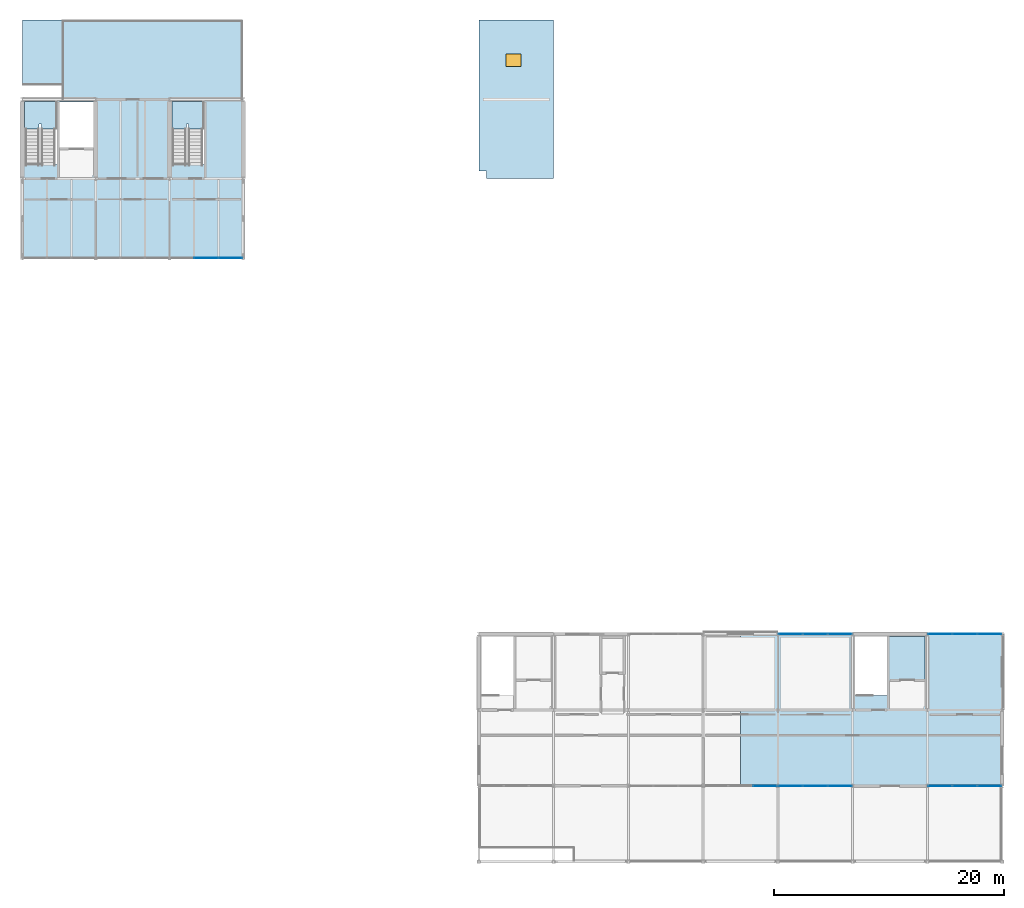
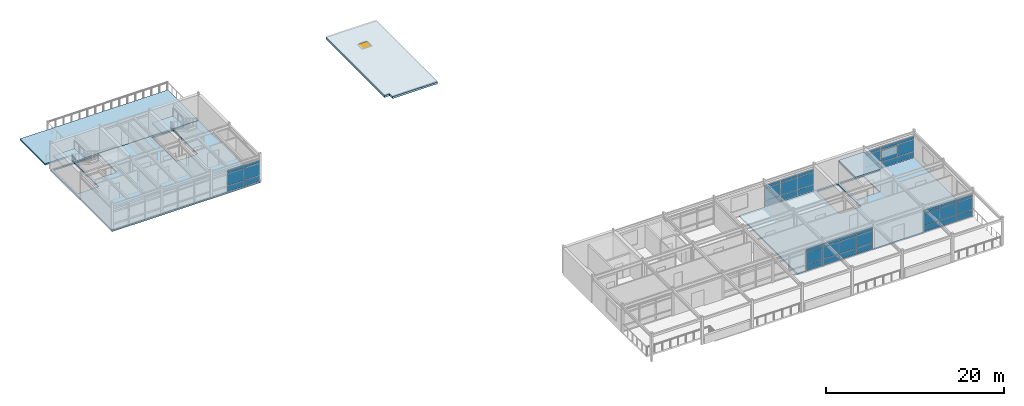
# One storey, part 12 of 20: 45 plates, 7 slabs, 1 door, 1 opening, 8 elements without a shape of their own.
"""IFC4 building model written with IfcOpenShell, lengths in metres."""

from ifc_helpers import new_model, si_unit, direction, frame, origin, origin_2d, place, context, subcontext, project, spatial, polyline, rectangle, outline, extrude, material, layer, layer_set, type_object, element, fill, aggregate, save


model = new_model("IFC4")

# Units and contexts
model_context = context("Model", 3, precision=1e-05, world=origin(), true_north=direction((0.0, 1.0)))
body_context = subcontext(model_context, "Body", "Model", "MODEL_VIEW")
ifc_project = project(units=[si_unit("LENGTHUNIT", "METRE"), si_unit("AREAUNIT", "SQUARE_METRE"), si_unit("VOLUMEUNIT", "CUBIC_METRE"), si_unit("PLANEANGLEUNIT", "RADIAN"), si_unit("MASSUNIT", "GRAM", prefix="KILO")], contexts=[model_context])

# Site, building, storey
site_placement = place(None, origin())
site = spatial("IfcSite", under=ifc_project, at=site_placement, CompositionType="ELEMENT")
building_placement = place(site_placement, origin())
building = spatial("IfcBuilding", under=site, at=building_placement, Name="Trelmorton Wharf Fire Station", CompositionType="ELEMENT")
storey_placement = place(building_placement, frame((0.0, 0.0, 21.300048828125)))
storey = spatial("IfcBuildingStorey", under=building, at=storey_placement, Name="L05", CompositionType="ELEMENT", Elevation=21.300048828125)

# Curtain wall, plates
ifc_material_1 = material(Name="Anodised aluminium AW-6063", Category="aluminium")
ifc_layer_1 = layer(ifc_material_1, 0.159912109375)
ifc_layer_set_1 = layer_set([ifc_layer_1], Name="Anodised aluminium AW-6063")
curtain_wall_type_1 = type_object("IfcCurtainWallType", Name="CW_CHIC_A", PredefinedType="USERDEFINED", material=ifc_layer_set_1)
curtain_wall_1_placement = place(storey_placement, origin())
curtain_wall_1 = element("IfcCurtainWall", 1, at=curtain_wall_1_placement, inside=storey, type_object=curtain_wall_type_1, Name="CW-V5-L05-085", ObjectType="CHICAGO BAY CURTAIN WALL", PredefinedType="USERDEFINED")
ifc_material_2 = material(Name="Tempered low-E double glazing", Category="glass")
ifc_layer_2 = layer(ifc_material_2, 0.028076171875)
ifc_layer_set_2 = layer_set([ifc_layer_2], Name="Tempered low-E double glazing")
plate_type_1 = type_object("IfcPlateType", Name="CWP_GLAZ_28", PredefinedType="CURTAIN_PANEL", material=ifc_layer_set_2)
plate_1_placement = place(storey_placement, frame((141.8984375, 14.39990234375, 0.06005859375), z_axis=(0.0, 0.0, 1.0), x_axis=(-1.0, 0.0, 0.0)))
plate_1 = element("IfcPlate", 2, at=plate_1_placement, type_object=plate_type_1, Name="CW1 panel 1.1", PredefinedType="CURTAIN_PANEL", context=body_context, shape_type="SweptSolid", body=[
    extrude(rectangle(XDim=2.0732421875, YDim=0.028076171875, at=origin_2d()), origin(), (0.0, 0.0, 1.0), 0.760009765625),
])
plate_2_placement = place(storey_placement, frame((141.8984375, 14.39990234375, 0.8798828125), z_axis=(0.0, 0.0, 1.0), x_axis=(-1.0, 0.0, 0.0)))
plate_2 = element("IfcPlate", 3, at=plate_2_placement, type_object=plate_type_1, Name="CW1 panel 1.2", PredefinedType="CURTAIN_PANEL", context=body_context, shape_type="SweptSolid", body=[
    extrude(rectangle(XDim=2.0732421875, YDim=0.028076171875, at=origin_2d()), origin(), (0.0, 0.0, 1.0), 1.610107421875),
])
plate_3_placement = place(storey_placement, frame((141.8984375, 14.39990234375, 2.5498046875), z_axis=(0.0, 0.0, 1.0), x_axis=(-1.0, 0.0, 0.0)))
plate_3 = element("IfcPlate", 4, at=plate_3_placement, type_object=plate_type_1, Name="CW1 panel 1.3", PredefinedType="CURTAIN_PANEL", context=body_context, shape_type="SweptSolid", body=[
    extrude(rectangle(XDim=2.0732421875, YDim=0.028076171875, at=origin_2d()), origin(), (0.0, 0.0, 1.0), 0.409912109375),
])
plate_4_placement = place(storey_placement, frame((139.75, 14.39990234375, 0.06005859375), z_axis=(0.0, 0.0, 1.0), x_axis=(-1.0, 0.0, 0.0)))
plate_4 = element("IfcPlate", 5, at=plate_4_placement, type_object=plate_type_1, Name="CW1 panel 2.1", PredefinedType="CURTAIN_PANEL", context=body_context, shape_type="SweptSolid", body=[
    extrude(rectangle(XDim=2.103271484375, YDim=0.028076171875, at=origin_2d()), origin(), (0.0, 0.0, 1.0), 0.760009765625),
])
plate_5_placement = place(storey_placement, frame((139.75, 14.39990234375, 0.8798828125), z_axis=(0.0, 0.0, 1.0), x_axis=(-1.0, 0.0, 0.0)))
plate_5 = element("IfcPlate", 6, at=plate_5_placement, type_object=plate_type_1, Name="CW1 panel 2.2", PredefinedType="CURTAIN_PANEL", context=body_context, shape_type="SweptSolid", body=[
    extrude(rectangle(XDim=2.103271484375, YDim=0.028076171875, at=origin_2d()), origin(), (0.0, 0.0, 1.0), 1.610107421875),
])
plate_6_placement = place(storey_placement, frame((139.75, 14.39990234375, 2.5498046875), z_axis=(0.0, 0.0, 1.0), x_axis=(-1.0, 0.0, 0.0)))
plate_6 = element("IfcPlate", 7, at=plate_6_placement, type_object=plate_type_1, Name="CW1 panel 2.3", PredefinedType="CURTAIN_PANEL", context=body_context, shape_type="SweptSolid", body=[
    extrude(rectangle(XDim=2.103271484375, YDim=0.028076171875, at=origin_2d()), origin(), (0.0, 0.0, 1.0), 0.409912109375),
])
plate_7_placement = place(storey_placement, frame((137.6015625, 14.39990234375, 0.06005859375), z_axis=(0.0, 0.0, 1.0), x_axis=(-1.0, 0.0, 0.0)))
plate_7 = element("IfcPlate", 8, at=plate_7_placement, type_object=plate_type_1, Name="CW1 panel 3.1", PredefinedType="CURTAIN_PANEL", context=body_context, shape_type="SweptSolid", body=[
    extrude(rectangle(XDim=2.0732421875, YDim=0.028076171875, at=origin_2d()), origin(), (0.0, 0.0, 1.0), 0.760009765625),
])
plate_8_placement = place(storey_placement, frame((137.6015625, 14.39990234375, 0.8798828125), z_axis=(0.0, 0.0, 1.0), x_axis=(-1.0, 0.0, 0.0)))
plate_8 = element("IfcPlate", 9, at=plate_8_placement, type_object=plate_type_1, Name="CW1 panel 3.2", PredefinedType="CURTAIN_PANEL", context=body_context, shape_type="SweptSolid", body=[
    extrude(rectangle(XDim=2.0732421875, YDim=0.028076171875, at=origin_2d()), origin(), (0.0, 0.0, 1.0), 1.610107421875),
])
plate_9_placement = place(storey_placement, frame((137.6015625, 14.39990234375, 2.5498046875), z_axis=(0.0, 0.0, 1.0), x_axis=(-1.0, 0.0, 0.0)))
plate_9 = element("IfcPlate", 10, at=plate_9_placement, type_object=plate_type_1, Name="CW1 panel 3.3", PredefinedType="CURTAIN_PANEL", context=body_context, shape_type="SweptSolid", body=[
    extrude(rectangle(XDim=2.0732421875, YDim=0.028076171875, at=origin_2d()), origin(), (0.0, 0.0, 1.0), 0.409912109375),
])
aggregate(curtain_wall_1, [plate_1, plate_2, plate_3, plate_4, plate_5, plate_6, plate_7, plate_8, plate_9])

curtain_wall_2_placement = place(storey_placement, origin())
curtain_wall_2 = element("IfcCurtainWall", 11, at=curtain_wall_2_placement, inside=storey, type_object=curtain_wall_type_1, Name="CW-V5-L05-086", ObjectType="CHICAGO BAY CURTAIN WALL", PredefinedType="USERDEFINED")
plate_10_placement = place(storey_placement, frame((154.8984375, 14.39990234375, 0.06005859375), z_axis=(0.0, 0.0, 1.0), x_axis=(-1.0, 0.0, 0.0)))
plate_10 = element("IfcPlate", 12, at=plate_10_placement, type_object=plate_type_1, Name="CW1 panel 1.1", PredefinedType="CURTAIN_PANEL", context=body_context, shape_type="SweptSolid", body=[
    extrude(rectangle(XDim=2.0732421875, YDim=0.028076171875, at=origin_2d()), origin(), (0.0, 0.0, 1.0), 0.760009765625),
])
plate_11_placement = place(storey_placement, frame((154.8984375, 14.39990234375, 0.8798828125), z_axis=(0.0, 0.0, 1.0), x_axis=(-1.0, 0.0, 0.0)))
plate_11 = element("IfcPlate", 13, at=plate_11_placement, type_object=plate_type_1, Name="CW1 panel 1.2", PredefinedType="CURTAIN_PANEL", context=body_context, shape_type="SweptSolid", body=[
    extrude(rectangle(XDim=2.0732421875, YDim=0.028076171875, at=origin_2d()), origin(), (0.0, 0.0, 1.0), 1.610107421875),
])
plate_12_placement = place(storey_placement, frame((154.8984375, 14.39990234375, 2.5498046875), z_axis=(0.0, 0.0, 1.0), x_axis=(-1.0, 0.0, 0.0)))
plate_12 = element("IfcPlate", 14, at=plate_12_placement, type_object=plate_type_1, Name="CW1 panel 1.3", PredefinedType="CURTAIN_PANEL", context=body_context, shape_type="SweptSolid", body=[
    extrude(rectangle(XDim=2.0732421875, YDim=0.028076171875, at=origin_2d()), origin(), (0.0, 0.0, 1.0), 0.409912109375),
])
plate_13_placement = place(storey_placement, frame((152.75, 14.39990234375, 0.06005859375), z_axis=(0.0, 0.0, 1.0), x_axis=(-1.0, 0.0, 0.0)))
plate_13 = element("IfcPlate", 15, at=plate_13_placement, type_object=plate_type_1, Name="CW1 panel 2.1", PredefinedType="CURTAIN_PANEL", context=body_context, shape_type="SweptSolid", body=[
    extrude(rectangle(XDim=2.103271484375, YDim=0.028076171875, at=origin_2d()), origin(), (0.0, 0.0, 1.0), 0.760009765625),
])
plate_14_placement = place(storey_placement, frame((152.75, 14.39990234375, 0.8798828125), z_axis=(0.0, 0.0, 1.0), x_axis=(-1.0, 0.0, 0.0)))
plate_14 = element("IfcPlate", 16, at=plate_14_placement, type_object=plate_type_1, Name="CW1 panel 2.2", PredefinedType="CURTAIN_PANEL", context=body_context, shape_type="SweptSolid", body=[
    extrude(rectangle(XDim=2.103271484375, YDim=0.028076171875, at=origin_2d()), origin(), (0.0, 0.0, 1.0), 1.610107421875),
])
plate_15_placement = place(storey_placement, frame((152.75, 14.39990234375, 2.5498046875), z_axis=(0.0, 0.0, 1.0), x_axis=(-1.0, 0.0, 0.0)))
plate_15 = element("IfcPlate", 17, at=plate_15_placement, type_object=plate_type_1, Name="CW1 panel 2.3", PredefinedType="CURTAIN_PANEL", context=body_context, shape_type="SweptSolid", body=[
    extrude(rectangle(XDim=2.103271484375, YDim=0.028076171875, at=origin_2d()), origin(), (0.0, 0.0, 1.0), 0.409912109375),
])
plate_16_placement = place(storey_placement, frame((150.6015625, 14.39990234375, 0.06005859375), z_axis=(0.0, 0.0, 1.0), x_axis=(-1.0, 0.0, 0.0)))
plate_16 = element("IfcPlate", 18, at=plate_16_placement, type_object=plate_type_1, Name="CW1 panel 3.1", PredefinedType="CURTAIN_PANEL", context=body_context, shape_type="SweptSolid", body=[
    extrude(rectangle(XDim=2.0732421875, YDim=0.028076171875, at=origin_2d()), origin(), (0.0, 0.0, 1.0), 0.760009765625),
])
plate_17_placement = place(storey_placement, frame((150.6015625, 14.39990234375, 0.8798828125), z_axis=(0.0, 0.0, 1.0), x_axis=(-1.0, 0.0, 0.0)))
plate_17 = element("IfcPlate", 19, at=plate_17_placement, type_object=plate_type_1, Name="CW1 panel 3.2", PredefinedType="CURTAIN_PANEL", context=body_context, shape_type="SweptSolid", body=[
    extrude(rectangle(XDim=2.0732421875, YDim=0.028076171875, at=origin_2d()), origin(), (0.0, 0.0, 1.0), 1.610107421875),
])
plate_18_placement = place(storey_placement, frame((150.6015625, 14.39990234375, 2.5498046875), z_axis=(0.0, 0.0, 1.0), x_axis=(-1.0, 0.0, 0.0)))
plate_18 = element("IfcPlate", 20, at=plate_18_placement, type_object=plate_type_1, Name="CW1 panel 3.3", PredefinedType="CURTAIN_PANEL", context=body_context, shape_type="SweptSolid", body=[
    extrude(rectangle(XDim=2.0732421875, YDim=0.028076171875, at=origin_2d()), origin(), (0.0, 0.0, 1.0), 0.409912109375),
])
aggregate(curtain_wall_2, [plate_10, plate_11, plate_12, plate_13, plate_14, plate_15, plate_16, plate_17, plate_18])

ifc_layer_3 = layer(ifc_material_1, 0.14990234375)
ifc_layer_set_3 = layer_set([ifc_layer_3], Name="Anodised aluminium AW-6063")
curtain_wall_type_2 = type_object("IfcCurtainWallType", Name="CW_UNIT_A", PredefinedType="USERDEFINED", material=ifc_layer_set_3)
curtain_wall_3_placement = place(storey_placement, origin())
curtain_wall_3 = element("IfcCurtainWall", 21, at=curtain_wall_3_placement, inside=storey, type_object=curtain_wall_type_2, Name="CW-V5-L05-088", ObjectType="UNITISED CURTAIN WALL", PredefinedType="USERDEFINED")
plate_19_placement = place(storey_placement, frame((137.6015625, 27.60009765625, 0.06005859375), z_axis=(0.0, 0.0, 1.0), x_axis=(1.0, 0.0, 0.0)))
plate_19 = element("IfcPlate", 22, at=plate_19_placement, type_object=plate_type_1, Name="CW3 panel 1.1", PredefinedType="CURTAIN_PANEL", context=body_context, shape_type="SweptSolid", body=[
    extrude(rectangle(XDim=2.0732421875, YDim=0.028076171875, at=origin_2d()), origin(), (0.0, 0.0, 1.0), 0.760009765625),
])
plate_20_placement = place(storey_placement, frame((137.6015625, 27.60009765625, 0.8798828125), z_axis=(0.0, 0.0, 1.0), x_axis=(1.0, 0.0, 0.0)))
plate_20 = element("IfcPlate", 23, at=plate_20_placement, type_object=plate_type_1, Name="CW3 panel 1.2", PredefinedType="CURTAIN_PANEL", context=body_context, shape_type="SweptSolid", body=[
    extrude(rectangle(XDim=2.0732421875, YDim=0.028076171875, at=origin_2d()), origin(), (0.0, 0.0, 1.0), 1.610107421875),
])
plate_21_placement = place(storey_placement, frame((137.6015625, 27.60009765625, 2.5498046875), z_axis=(0.0, 0.0, 1.0), x_axis=(1.0, 0.0, 0.0)))
plate_21 = element("IfcPlate", 24, at=plate_21_placement, type_object=plate_type_1, Name="CW3 panel 1.3", PredefinedType="CURTAIN_PANEL", context=body_context, shape_type="SweptSolid", body=[
    extrude(rectangle(XDim=2.0732421875, YDim=0.028076171875, at=origin_2d()), origin(), (0.0, 0.0, 1.0), 0.409912109375),
])
plate_22_placement = place(storey_placement, frame((139.75, 27.60009765625, 0.06005859375), z_axis=(0.0, 0.0, 1.0), x_axis=(1.0, 0.0, 0.0)))
plate_22 = element("IfcPlate", 25, at=plate_22_placement, type_object=plate_type_1, Name="CW3 panel 2.1", PredefinedType="CURTAIN_PANEL", context=body_context, shape_type="SweptSolid", body=[
    extrude(rectangle(XDim=2.103271484375, YDim=0.028076171875, at=origin_2d()), origin(), (0.0, 0.0, 1.0), 0.760009765625),
])
plate_23_placement = place(storey_placement, frame((139.75, 27.60009765625, 0.8798828125), z_axis=(0.0, 0.0, 1.0), x_axis=(1.0, 0.0, 0.0)))
plate_23 = element("IfcPlate", 26, at=plate_23_placement, type_object=plate_type_1, Name="CW3 panel 2.2", PredefinedType="CURTAIN_PANEL", context=body_context, shape_type="SweptSolid", body=[
    extrude(rectangle(XDim=2.103271484375, YDim=0.028076171875, at=origin_2d()), origin(), (0.0, 0.0, 1.0), 1.610107421875),
])
plate_24_placement = place(storey_placement, frame((139.75, 27.60009765625, 2.5498046875), z_axis=(0.0, 0.0, 1.0), x_axis=(1.0, 0.0, 0.0)))
plate_24 = element("IfcPlate", 27, at=plate_24_placement, type_object=plate_type_1, Name="CW3 panel 2.3", PredefinedType="CURTAIN_PANEL", context=body_context, shape_type="SweptSolid", body=[
    extrude(rectangle(XDim=2.103271484375, YDim=0.028076171875, at=origin_2d()), origin(), (0.0, 0.0, 1.0), 0.409912109375),
])
plate_25_placement = place(storey_placement, frame((141.8984375, 27.60009765625, 0.06005859375), z_axis=(0.0, 0.0, 1.0), x_axis=(1.0, 0.0, 0.0)))
plate_25 = element("IfcPlate", 28, at=plate_25_placement, type_object=plate_type_1, Name="CW3 panel 3.1", PredefinedType="CURTAIN_PANEL", context=body_context, shape_type="SweptSolid", body=[
    extrude(rectangle(XDim=2.0732421875, YDim=0.028076171875, at=origin_2d()), origin(), (0.0, 0.0, 1.0), 0.760009765625),
])
plate_26_placement = place(storey_placement, frame((141.8984375, 27.60009765625, 0.8798828125), z_axis=(0.0, 0.0, 1.0), x_axis=(1.0, 0.0, 0.0)))
plate_26 = element("IfcPlate", 29, at=plate_26_placement, type_object=plate_type_1, Name="CW3 panel 3.2", PredefinedType="CURTAIN_PANEL", context=body_context, shape_type="SweptSolid", body=[
    extrude(rectangle(XDim=2.0732421875, YDim=0.028076171875, at=origin_2d()), origin(), (0.0, 0.0, 1.0), 1.610107421875),
])
plate_27_placement = place(storey_placement, frame((141.8984375, 27.60009765625, 2.5498046875), z_axis=(0.0, 0.0, 1.0), x_axis=(1.0, 0.0, 0.0)))
plate_27 = element("IfcPlate", 30, at=plate_27_placement, type_object=plate_type_1, Name="CW3 panel 3.3", PredefinedType="CURTAIN_PANEL", context=body_context, shape_type="SweptSolid", body=[
    extrude(rectangle(XDim=2.0732421875, YDim=0.028076171875, at=origin_2d()), origin(), (0.0, 0.0, 1.0), 0.409912109375),
])
aggregate(curtain_wall_3, [plate_19, plate_20, plate_21, plate_22, plate_23, plate_24, plate_25, plate_26, plate_27])

curtain_wall_4_placement = place(storey_placement, origin())
curtain_wall_4 = element("IfcCurtainWall", 31, at=curtain_wall_4_placement, inside=storey, type_object=curtain_wall_type_2, Name="CW-V5-L05-089", ObjectType="UNITISED CURTAIN WALL", PredefinedType="USERDEFINED")
plate_28_placement = place(storey_placement, frame((150.6015625, 27.60009765625, 0.06005859375), z_axis=(0.0, 0.0, 1.0), x_axis=(1.0, 0.0, 0.0)))
plate_28 = element("IfcPlate", 32, at=plate_28_placement, type_object=plate_type_1, Name="CW3 panel 1.1", PredefinedType="CURTAIN_PANEL", context=body_context, shape_type="SweptSolid", body=[
    extrude(rectangle(XDim=2.0732421875, YDim=0.028076171875, at=origin_2d()), origin(), (0.0, 0.0, 1.0), 0.760009765625),
])
plate_29_placement = place(storey_placement, frame((150.6015625, 27.60009765625, 0.8798828125), z_axis=(0.0, 0.0, 1.0), x_axis=(1.0, 0.0, 0.0)))
plate_29 = element("IfcPlate", 33, at=plate_29_placement, type_object=plate_type_1, Name="CW3 panel 1.2", PredefinedType="CURTAIN_PANEL", context=body_context, shape_type="SweptSolid", body=[
    extrude(rectangle(XDim=2.0732421875, YDim=0.028076171875, at=origin_2d()), origin(), (0.0, 0.0, 1.0), 1.610107421875),
])
plate_30_placement = place(storey_placement, frame((150.6015625, 27.60009765625, 2.5498046875), z_axis=(0.0, 0.0, 1.0), x_axis=(1.0, 0.0, 0.0)))
plate_30 = element("IfcPlate", 34, at=plate_30_placement, type_object=plate_type_1, Name="CW3 panel 1.3", PredefinedType="CURTAIN_PANEL", context=body_context, shape_type="SweptSolid", body=[
    extrude(rectangle(XDim=2.0732421875, YDim=0.028076171875, at=origin_2d()), origin(), (0.0, 0.0, 1.0), 0.409912109375),
])
plate_31_placement = place(storey_placement, frame((152.75, 27.60009765625, 0.06005859375), z_axis=(0.0, 0.0, 1.0), x_axis=(1.0, 0.0, 0.0)))
plate_31 = element("IfcPlate", 35, at=plate_31_placement, type_object=plate_type_1, Name="CW3 panel 2.1", PredefinedType="CURTAIN_PANEL", context=body_context, shape_type="SweptSolid", body=[
    extrude(rectangle(XDim=2.103271484375, YDim=0.028076171875, at=origin_2d()), origin(), (0.0, 0.0, 1.0), 0.760009765625),
])
plate_32_placement = place(storey_placement, frame((152.75, 27.60009765625, 0.8798828125), z_axis=(0.0, 0.0, 1.0), x_axis=(1.0, 0.0, 0.0)))
plate_32 = element("IfcPlate", 36, at=plate_32_placement, type_object=plate_type_1, Name="CW3 panel 2.2", PredefinedType="CURTAIN_PANEL", context=body_context, shape_type="SweptSolid", body=[
    extrude(rectangle(XDim=2.103271484375, YDim=0.028076171875, at=origin_2d()), origin(), (0.0, 0.0, 1.0), 1.610107421875),
])
plate_33_placement = place(storey_placement, frame((152.75, 27.60009765625, 2.5498046875), z_axis=(0.0, 0.0, 1.0), x_axis=(1.0, 0.0, 0.0)))
plate_33 = element("IfcPlate", 37, at=plate_33_placement, type_object=plate_type_1, Name="CW3 panel 2.3", PredefinedType="CURTAIN_PANEL", context=body_context, shape_type="SweptSolid", body=[
    extrude(rectangle(XDim=2.103271484375, YDim=0.028076171875, at=origin_2d()), origin(), (0.0, 0.0, 1.0), 0.409912109375),
])
plate_34_placement = place(storey_placement, frame((154.8984375, 27.60009765625, 0.06005859375), z_axis=(0.0, 0.0, 1.0), x_axis=(1.0, 0.0, 0.0)))
plate_34 = element("IfcPlate", 38, at=plate_34_placement, type_object=plate_type_1, Name="CW3 panel 3.1", PredefinedType="CURTAIN_PANEL", context=body_context, shape_type="SweptSolid", body=[
    extrude(rectangle(XDim=2.0732421875, YDim=0.028076171875, at=origin_2d()), origin(), (0.0, 0.0, 1.0), 0.760009765625),
])
plate_35_placement = place(storey_placement, frame((154.8984375, 27.60009765625, 0.8798828125), z_axis=(0.0, 0.0, 1.0), x_axis=(1.0, 0.0, 0.0)))
plate_35 = element("IfcPlate", 39, at=plate_35_placement, type_object=plate_type_1, Name="CW3 panel 3.2", PredefinedType="CURTAIN_PANEL", context=body_context, shape_type="SweptSolid", body=[
    extrude(rectangle(XDim=2.0732421875, YDim=0.028076171875, at=origin_2d()), origin(), (0.0, 0.0, 1.0), 1.610107421875),
])
plate_36_placement = place(storey_placement, frame((154.8984375, 27.60009765625, 2.5498046875), z_axis=(0.0, 0.0, 1.0), x_axis=(1.0, 0.0, 0.0)))
plate_36 = element("IfcPlate", 40, at=plate_36_placement, type_object=plate_type_1, Name="CW3 panel 3.3", PredefinedType="CURTAIN_PANEL", context=body_context, shape_type="SweptSolid", body=[
    extrude(rectangle(XDim=2.0732421875, YDim=0.028076171875, at=origin_2d()), origin(), (0.0, 0.0, 1.0), 0.409912109375),
])
aggregate(curtain_wall_4, [plate_28, plate_29, plate_30, plate_31, plate_32, plate_33, plate_34, plate_35, plate_36])

curtain_wall_5_placement = place(storey_placement, origin())
curtain_wall_5 = element("IfcCurtainWall", 41, at=curtain_wall_5_placement, inside=storey, type_object=curtain_wall_type_1, Name="CW-V2-L05-109", ObjectType="CHICAGO BAY CURTAIN WALL", PredefinedType="USERDEFINED")
plate_37_placement = place(storey_placement, frame((88.9150390625, 60.300048828125, 0.06005859375), z_axis=(0.0, 0.0, 1.0), x_axis=(-1.0, 0.0, 0.0)))
plate_37 = element("IfcPlate", 42, at=plate_37_placement, type_object=plate_type_1, Name="CW1 panel 1.1", PredefinedType="CURTAIN_PANEL", context=body_context, shape_type="SweptSolid", body=[
    extrude(rectangle(XDim=2.0400390625, YDim=0.028076171875, at=origin_2d()), origin(), (0.0, 0.0, 1.0), 0.760009765625),
])
plate_38_placement = place(storey_placement, frame((88.9150390625, 60.300048828125, 0.8798828125), z_axis=(0.0, 0.0, 1.0), x_axis=(-1.0, 0.0, 0.0)))
plate_38 = element("IfcPlate", 43, at=plate_38_placement, type_object=plate_type_1, Name="CW1 panel 1.2", PredefinedType="CURTAIN_PANEL", context=body_context, shape_type="SweptSolid", body=[
    extrude(rectangle(XDim=2.0400390625, YDim=0.028076171875, at=origin_2d()), origin(), (0.0, 0.0, 1.0), 1.610107421875),
])
plate_39_placement = place(storey_placement, frame((88.9150390625, 60.300048828125, 2.5498046875), z_axis=(0.0, 0.0, 1.0), x_axis=(-1.0, 0.0, 0.0)))
plate_39 = element("IfcPlate", 44, at=plate_39_placement, type_object=plate_type_1, Name="CW1 panel 1.3", PredefinedType="CURTAIN_PANEL", context=body_context, shape_type="SweptSolid", body=[
    extrude(rectangle(XDim=2.0400390625, YDim=0.028076171875, at=origin_2d()), origin(), (0.0, 0.0, 1.0), 0.409912109375),
])
plate_40_placement = place(storey_placement, frame((86.800048828125, 60.300048828125, 0.06005859375), z_axis=(0.0, 0.0, 1.0), x_axis=(-1.0, 0.0, 0.0)))
plate_40 = element("IfcPlate", 45, at=plate_40_placement, type_object=plate_type_1, Name="CW1 panel 2.1", PredefinedType="CURTAIN_PANEL", context=body_context, shape_type="SweptSolid", body=[
    extrude(rectangle(XDim=2.070068359375, YDim=0.028076171875, at=origin_2d()), origin(), (0.0, 0.0, 1.0), 0.760009765625),
])
plate_41_placement = place(storey_placement, frame((86.800048828125, 60.300048828125, 0.8798828125), z_axis=(0.0, 0.0, 1.0), x_axis=(-1.0, 0.0, 0.0)))
plate_41 = element("IfcPlate", 46, at=plate_41_placement, type_object=plate_type_1, Name="CW1 panel 2.2", PredefinedType="CURTAIN_PANEL", context=body_context, shape_type="SweptSolid", body=[
    extrude(rectangle(XDim=2.070068359375, YDim=0.028076171875, at=origin_2d()), origin(), (0.0, 0.0, 1.0), 1.610107421875),
])
plate_42_placement = place(storey_placement, frame((86.800048828125, 60.300048828125, 2.5498046875), z_axis=(0.0, 0.0, 1.0), x_axis=(-1.0, 0.0, 0.0)))
plate_42 = element("IfcPlate", 47, at=plate_42_placement, type_object=plate_type_1, Name="CW1 panel 2.3", PredefinedType="CURTAIN_PANEL", context=body_context, shape_type="SweptSolid", body=[
    extrude(rectangle(XDim=2.070068359375, YDim=0.028076171875, at=origin_2d()), origin(), (0.0, 0.0, 1.0), 0.409912109375),
])
aggregate(curtain_wall_5, [plate_37, plate_38, plate_39, plate_40, plate_41, plate_42])

ifc_layer_4 = layer(ifc_material_1, 0.175048828125)
ifc_layer_set_4 = layer_set([ifc_layer_4], Name="Anodised aluminium AW-6063")
curtain_wall_type_3 = type_object("IfcCurtainWallType", Name="CW_CHIC_B", PredefinedType="USERDEFINED", material=ifc_layer_set_4)
curtain_wall_6_placement = place(storey_placement, origin())
curtain_wall_6 = element("IfcCurtainWall", 48, at=curtain_wall_6_placement, inside=storey, type_object=curtain_wall_type_3, Name="CW-V5-L05-084", ObjectType="CHICAGO BAY CURTAIN WALL", PredefinedType="USERDEFINED")
ifc_material_3 = material(Name="Ceramic-fritted spandrel glazing", Category="glass")
ifc_layer_5 = layer(ifc_material_3, 0.028076171875)
ifc_layer_set_5 = layer_set([ifc_layer_5], Name="Ceramic-fritted spandrel glazing")
plate_type_2 = type_object("IfcPlateType", Name="CWP_SPAN_48", PredefinedType="CURTAIN_PANEL", material=ifc_layer_set_5)
plate_43_placement = place(storey_placement, frame((135.3984375, 14.39990234375, 0.06005859375), z_axis=(0.0, 0.0, 1.0), x_axis=(-1.0, 0.0, 0.0)))
plate_43 = element("IfcPlate", 49, at=plate_43_placement, type_object=plate_type_2, Name="CW2 panel 1.1", PredefinedType="CURTAIN_PANEL", context=body_context, shape_type="SweptSolid", body=[
    extrude(rectangle(XDim=2.0732421875, YDim=0.028076171875, at=origin_2d()), origin(), (0.0, 0.0, 1.0), 0.760009765625),
])
plate_44_placement = place(storey_placement, frame((135.3984375, 14.39990234375, 0.8798828125), z_axis=(0.0, 0.0, 1.0), x_axis=(-1.0, 0.0, 0.0)))
plate_44 = element("IfcPlate", 50, at=plate_44_placement, type_object=plate_type_2, Name="CW2 panel 1.2", PredefinedType="CURTAIN_PANEL", context=body_context, shape_type="SweptSolid", body=[
    extrude(rectangle(XDim=2.0732421875, YDim=0.028076171875, at=origin_2d()), origin(), (0.0, 0.0, 1.0), 1.610107421875),
])
plate_45_placement = place(storey_placement, frame((135.3984375, 14.39990234375, 2.5498046875), z_axis=(0.0, 0.0, 1.0), x_axis=(-1.0, 0.0, 0.0)))
plate_45 = element("IfcPlate", 51, at=plate_45_placement, type_object=plate_type_2, Name="CW2 panel 1.3", PredefinedType="CURTAIN_PANEL", context=body_context, shape_type="SweptSolid", body=[
    extrude(rectangle(XDim=2.0732421875, YDim=0.028076171875, at=origin_2d()), origin(), (0.0, 0.0, 1.0), 0.409912109375),
])
aggregate(curtain_wall_6, [plate_43, plate_44, plate_45])

# Slabs
ifc_material_4 = material(Name="Concrete 40 MPa", Category="concrete")
ifc_layer_6 = layer(ifc_material_4, 0.199951171875)
ifc_layer_set_6 = layer_set([ifc_layer_6], Name="Concrete 40 MPa")
slab_type_1 = type_object("IfcSlabType", Name="SL_FLOOR_200", PredefinedType="FLOOR", material=ifc_layer_set_6)
slab_1_placement = place(storey_placement, frame((0.0, 0.0, -0.199951171875)))
element("IfcSlab", 52, at=slab_1_placement, inside=storey, type_object=slab_type_1, Name="SL-V5-L05-029", PredefinedType="FLOOR", context=body_context, shape_type="SweptSolid", body=[
    extrude(outline(polyline([(156.0, 27.60009765625), (156.0, 14.39990234375), (133.25, 14.39990234375), (133.25, 27.60009765625), (156.0, 27.60009765625)]), holes=[polyline([(143.219970703125, 22.239990234375), (146.010009765625, 22.239990234375), (146.010009765625, 27.3798828125), (143.219970703125, 27.3798828125), (143.219970703125, 22.239990234375)]), polyline([(146.239990234375, 27.3798828125), (146.239990234375, 23.719970703125), (149.280029296875, 23.719970703125), (149.280029296875, 27.3798828125), (146.239990234375, 27.3798828125)])]), origin(), (0.0, 0.0, 1.0), 0.199951171875),
])
slab_2_placement = place(storey_placement, frame((0.0, 0.0, -0.199951171875)))
element("IfcSlab", 53, at=slab_2_placement, inside=storey, type_object=slab_type_1, Name="SL-V2-L05-048", PredefinedType="FLOOR", context=body_context, shape_type="SweptSolid", body=[
    extrude(outline(polyline([(90.0, 74.10009765625), (90.0, 60.300048828125), (70.800048828125, 60.300048828125), (70.800048828125, 74.10009765625), (90.0, 74.10009765625)]), holes=[polyline([(71.02001953125, 68.43994140625), (73.81005859375, 68.43994140625), (73.81005859375, 73.8798828125), (71.02001953125, 73.8798828125), (71.02001953125, 68.43994140625)]), polyline([(74.0400390625, 73.8798828125), (74.0400390625, 69.919921875), (76.97998046875, 69.919921875), (76.97998046875, 73.8798828125), (74.0400390625, 73.8798828125)]), polyline([(86.610107421875, 73.8798828125), (83.820068359375, 73.8798828125), (83.820068359375, 68.43994140625), (86.610107421875, 68.43994140625), (86.610107421875, 73.8798828125)])]), origin(), (0.0, 0.0, 1.0), 0.199951171875),
])
slab_3_placement = place(storey_placement, frame((0.0, 0.0, 3.02001953125)))
element("IfcSlab", 54, at=slab_3_placement, inside=storey, type_object=slab_type_1, Name="SL-CAP-C4", PredefinedType="FLOOR", context=body_context, shape_type="SweptSolid", body=[
    extrude(outline(polyline([(146.06005859375, 23.5400390625), (149.294921875, 23.5400390625), (149.294921875, 27.39501953125), (146.06005859375, 27.39501953125), (146.06005859375, 23.5400390625)])), origin(), (0.0, 0.0, 1.0), 0.199951171875),
])

# Stair, slab
ifc_material_5 = material(Name="Precast concrete 45 MPa", Category="concrete")
stair_type = type_object("IfcStairType", Name="ST_DOG_390", PredefinedType="HALF_TURN_STAIR", material=ifc_material_5)
stair_1_placement = place(storey_placement, origin())
stair_1 = element("IfcStair", 55, at=stair_1_placement, inside=storey, type_object=stair_type, Name="Escape Stair ST8-L05", PredefinedType="HALF_TURN_STAIR")
ifc_layer_7 = layer(ifc_material_5, 0.199951171875)
ifc_layer_set_7 = layer_set([ifc_layer_7], Name="Precast concrete 45 MPa")
slab_type_2 = type_object("IfcSlabType", Name="SL_LAND_180", PredefinedType="LANDING", material=ifc_layer_set_7)
slab_4_placement = place(storey_placement, frame((0.0, 0.0, 1.75)))
slab_4 = element("IfcSlab", 56, at=slab_4_placement, type_object=slab_type_2, Name="ST8-L05 landing 1", PredefinedType="LANDING", context=body_context, shape_type="SweptSolid", body=[
    extrude(outline(polyline([(71.0048828125, 71.530029296875), (72.260009765625, 71.530029296875), (72.260009765625, 71.949951171875), (72.4599609375, 71.949951171875), (72.4599609375, 71.530029296875), (73.804931640625, 71.530029296875), (73.804931640625, 73.89501953125), (71.0048828125, 73.89501953125), (71.0048828125, 71.530029296875)])), origin(), (0.0, 0.0, 1.0), 0.199951171875),
])
aggregate(stair_1, [slab_4])

stair_2_placement = place(storey_placement, origin())
stair_2 = element("IfcStair", 57, at=stair_2_placement, inside=storey, type_object=stair_type, Name="Escape Stair ST9-L05", PredefinedType="HALF_TURN_STAIR")
slab_5_placement = place(storey_placement, frame((0.0, 0.0, 1.75)))
slab_5 = element("IfcSlab", 58, at=slab_5_placement, type_object=slab_type_2, Name="ST9-L05 landing 1", PredefinedType="LANDING", context=body_context, shape_type="SweptSolid", body=[
    extrude(outline(polyline([(83.804931640625, 71.530029296875), (85.06005859375, 71.530029296875), (85.06005859375, 71.949951171875), (85.260009765625, 71.949951171875), (85.260009765625, 71.530029296875), (86.60498046875, 71.530029296875), (86.60498046875, 73.89501953125), (83.804931640625, 73.89501953125), (83.804931640625, 71.530029296875)])), origin(), (0.0, 0.0, 1.0), 0.199951171875),
])
aggregate(stair_2, [slab_5])

# Slab, opening, door
ifc_layer_8 = layer(ifc_material_4, 0.27001953125)
ifc_layer_set_8 = layer_set([ifc_layer_8], Name="Concrete 40 MPa")
slab_type_3 = type_object("IfcSlabType", Name="SL_ROOF_FLAT_190", PredefinedType="ROOF", material=ifc_layer_set_8)
slab_6_placement = place(storey_placement, frame((0.0, 0.0, -0.27001953125)))
slab_6 = element("IfcSlab", 59, at=slab_6_placement, inside=storey, type_object=slab_type_3, Name="SL-ROOF-V4-HH", PredefinedType="ROOF", context=body_context, shape_type="SweptSolid", body=[
    extrude(outline(polyline([(117.0, 81.0), (117.0, 67.199951171875), (111.14990234375, 67.199951171875), (111.14990234375, 67.85009765625), (110.5, 67.85009765625), (110.5, 81.0), (117.0, 81.0)]), holes=[polyline([(113.97509765625, 77.97509765625), (113.02490234375, 77.97509765625), (113.02490234375, 77.02490234375), (113.97509765625, 77.02490234375), (113.97509765625, 77.97509765625)])]), origin(), (0.0, 0.0, 1.0), 0.27001953125),
])
opening_placement = place(slab_6_placement, frame((113.5, 77.5, 0.0)))
opening = element("IfcOpeningElement", 60, at=opening_placement, cuts=slab_6, Name="Opening HT-03", PredefinedType="OPENING", context=body_context, shape_type="SweptSolid", body=[
    extrude(rectangle(XDim=1.300048828125, YDim=1.050048828125, at=origin_2d()), origin(), (0.0, 0.0, 1.0), 0.27001953125),
])
door_type = type_object("IfcDoorType", Name="DR_TRAP_130", OperationType="SINGLE_SWING_LEFT", PredefinedType="TRAPDOOR", material=ifc_material_1)
door_placement = place(opening_placement, frame((0.0, 0.0, 0.219970703125)))
door = element("IfcDoor", 61, at=door_placement, inside=storey, type_object=door_type, Name="Roof Access Trapdoor HT-03", OperationType="SINGLE_SWING_LEFT", OverallHeight=1.050048828125, OverallWidth=1.300048828125, PredefinedType="TRAPDOOR", context=body_context, shape_type="SweptSolid", body=[
    extrude(rectangle(XDim=1.300048828125, YDim=1.050048828125, at=origin_2d()), origin(), (0.0, 0.0, 1.0), 0.050048828125),
])
fill(opening, door)

# Slab
ifc_layer_9 = layer(ifc_material_4, 0.2099609375)
ifc_layer_set_9 = layer_set([ifc_layer_9], Name="Concrete 40 MPa")
slab_type_4 = type_object("IfcSlabType", Name="SL_TERRACE_210", PredefinedType="FLOOR", material=ifc_layer_set_9)
slab_7_placement = place(storey_placement, frame((0.0, 0.0, -0.2099609375)))
element("IfcSlab", 62, at=slab_7_placement, inside=storey, type_object=slab_type_4, Name="SL-EXT-V2_NORTH_DECK_L05", PredefinedType="FLOOR", context=body_context, shape_type="SweptSolid", body=[
    extrude(outline(polyline([(70.800048828125, 81.0), (90.0, 81.0), (90.0, 74.10009765625), (74.256103515625, 74.10009765625), (74.256103515625, 75.342041015625), (70.800048828125, 75.342041015625), (70.800048828125, 81.0)])), origin(), (0.0, 0.0, 1.0), 0.2099609375),
])

save(model, "model.ifc")
